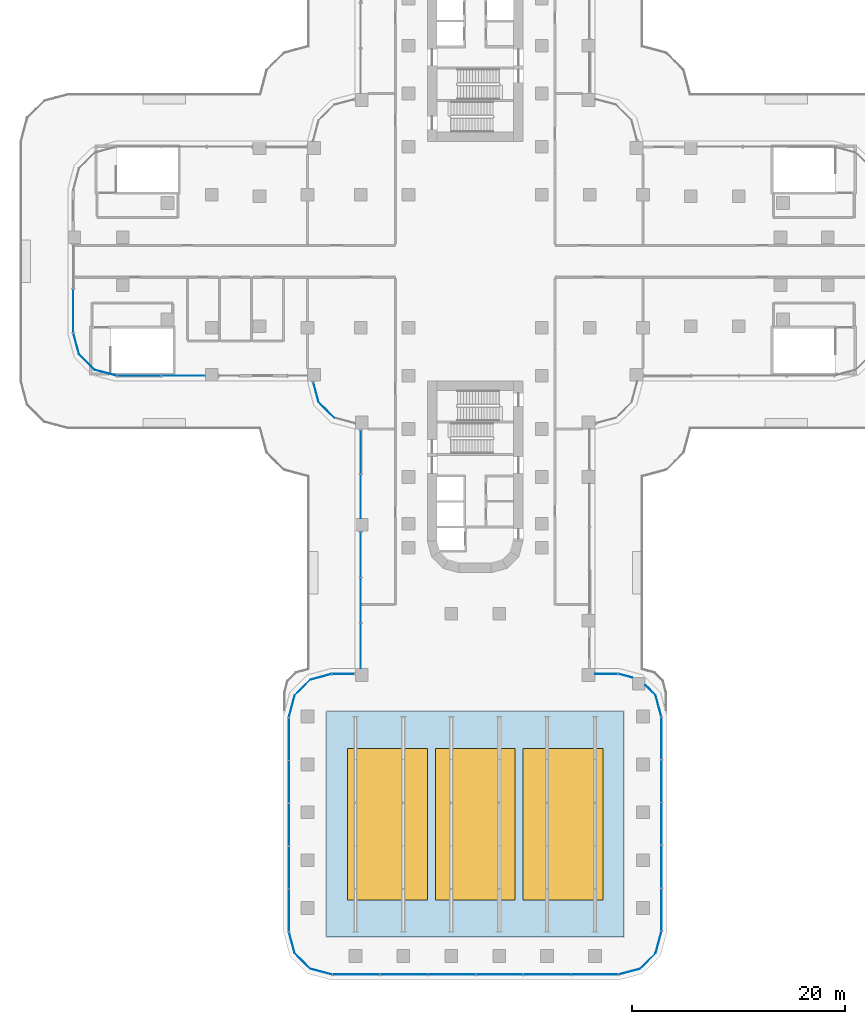
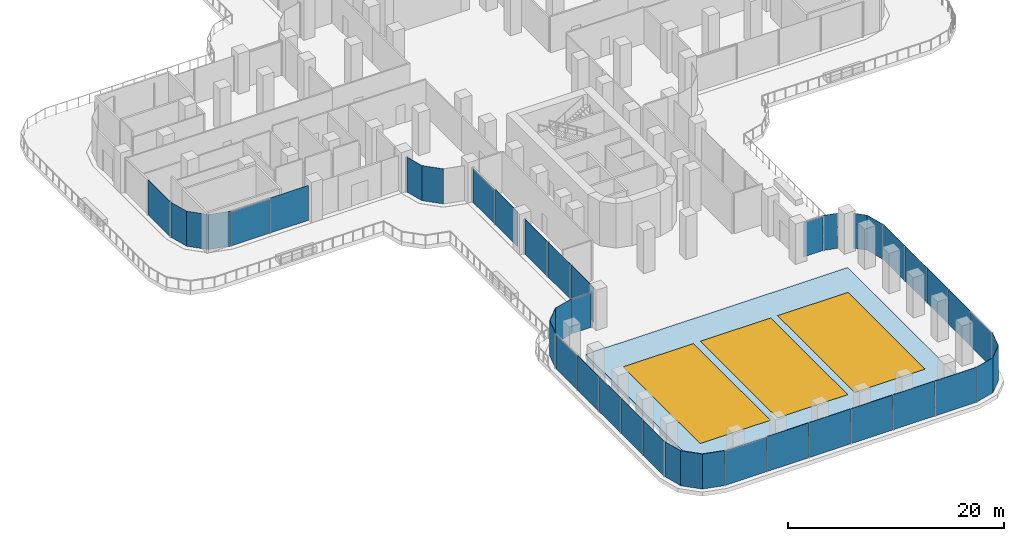
# One storey, part 9 of 21: 43 plates, 3 windows, 1 slab, 3 openings, 25 elements without a shape of their own.
"""IFC4 building model written with IfcOpenShell, lengths in metres."""

from ifc_helpers import new_model, si_unit, direction, frame, origin, origin_2d, place, context, subcontext, project, spatial, polyline, rectangle, outline, extrude, source, transform, mapped, material, layer, layer_set, type_object, element, fill, aggregate, save


model = new_model("IFC4")

# Units and contexts
model_context = context("Model", 3, precision=1e-05, world=origin(), true_north=direction((0.0, 1.0)))
body_context = subcontext(model_context, "Body", "Model", "MODEL_VIEW")
ifc_project = project(units=[si_unit("LENGTHUNIT", "METRE"), si_unit("AREAUNIT", "SQUARE_METRE"), si_unit("VOLUMEUNIT", "CUBIC_METRE"), si_unit("PLANEANGLEUNIT", "RADIAN"), si_unit("MASSUNIT", "GRAM", prefix="KILO")], contexts=[model_context])

# Site, building, storey
site_placement = place(None, origin())
site = spatial("IfcSite", under=ifc_project, at=site_placement, CompositionType="ELEMENT")
building_placement = place(site_placement, origin())
building = spatial("IfcBuilding", under=site, at=building_placement, Name="Zarbagh Exchange Tower", CompositionType="ELEMENT")
storey_placement = place(building_placement, frame((0.0, 0.0, 22.0)))
storey = spatial("IfcBuildingStorey", under=building, at=storey_placement, Name="L04", CompositionType="ELEMENT", Elevation=22.0)

# Slab, openings, windows
ifc_material_1 = material(Name="Concrete C50/60", Category="concrete")
ifc_layer_1 = layer(ifc_material_1, 0.449951171875)
ifc_layer_set_1 = layer_set([ifc_layer_1], Name="Podium terrace roof slab 450 C50/60")
slab_type = type_object("IfcSlabType", Name="Podium terrace roof slab 450 C50/60", PredefinedType="ROOF", material=ifc_layer_set_1)
slab_placement = place(storey_placement, frame((0.0, 0.0, -0.449951171875)))
slab = element("IfcSlab", 1, at=slab_placement, inside=storey, type_object=slab_type, Name="S8 podium terrace roof slab", PredefinedType="ROOF", context=body_context, shape_type="SweptSolid", body=[
    extrude(outline(polyline([(13.97509765625, -63.47509765625), (-13.97509765625, -63.47509765625), (-13.97509765625, -42.27490234375), (13.97509765625, -42.27490234375), (13.97509765625, -63.47509765625)])), origin(), (0.0, 0.0, 1.0), 0.449951171875),
])
opening_1_placement = place(slab_placement, frame((-8.25, -52.875, 0.0)))
opening_1 = element("IfcOpeningElement", 2, at=opening_1_placement, cuts=slab, Name="Opening SK01", PredefinedType="OPENING", context=body_context, shape_type="SweptSolid", body=[
    extrude(rectangle(XDim=7.5, YDim=14.25, at=origin_2d()), frame((0.0, 0.0, -0.010009765625)), (0.0, 0.0, 1.0), 0.469970703125),
])
opening_2_placement = place(slab_placement, frame((0.0, -52.875, 0.0)))
opening_2 = element("IfcOpeningElement", 3, at=opening_2_placement, cuts=slab, Name="Opening SK01", PredefinedType="OPENING", context=body_context, shape_type="SweptSolid", body=[
    extrude(rectangle(XDim=7.5, YDim=14.25, at=origin_2d()), frame((0.0, 0.0, -0.010009765625)), (0.0, 0.0, 1.0), 0.469970703125),
])
opening_3_placement = place(slab_placement, frame((8.25, -52.875, 0.0)))
opening_3 = element("IfcOpeningElement", 4, at=opening_3_placement, cuts=slab, Name="Opening SK01", PredefinedType="OPENING", context=body_context, shape_type="SweptSolid", body=[
    extrude(rectangle(XDim=7.5, YDim=14.25, at=origin_2d()), frame((0.0, 0.0, -0.010009765625)), (0.0, 0.0, 1.0), 0.469970703125),
])
ifc_material_2 = material(Name="Laminated glass and aluminium frame", Category="aluminium")
window_type = type_object("IfcWindowType", Name="SKYLIGHT hall rooflight, laminated glass", PartitioningType="SINGLE_PANEL", PredefinedType="SKYLIGHT", material=ifc_material_2)
window_1_placement = place(opening_1_placement, frame((0.0, 0.0, 0.39990234375)))
window_1 = element("IfcWindow", 5, at=window_1_placement, inside=storey, type_object=window_type, Name="SK01 hall rooflight", OverallHeight=14.25, OverallWidth=7.5, PartitioningType="SINGLE_PANEL", PredefinedType="SKYLIGHT", context=body_context, shape_type="SweptSolid", body=[
    extrude(rectangle(XDim=7.5, YDim=14.25, at=origin_2d()), origin(), (0.0, 0.0, 1.0), 0.050048828125),
])
fill(opening_1, window_1)
window_2_placement = place(opening_2_placement, frame((0.0, 0.0, 0.39990234375)))
window_2 = element("IfcWindow", 6, at=window_2_placement, inside=storey, type_object=window_type, Name="SK01 hall rooflight", OverallHeight=14.25, OverallWidth=7.5, PartitioningType="SINGLE_PANEL", PredefinedType="SKYLIGHT", context=body_context, shape_type="SweptSolid", body=[
    extrude(rectangle(XDim=7.5, YDim=14.25, at=origin_2d()), origin(), (0.0, 0.0, 1.0), 0.050048828125),
])
fill(opening_2, window_2)
window_3_placement = place(opening_3_placement, frame((0.0, 0.0, 0.39990234375)))
window_3 = element("IfcWindow", 7, at=window_3_placement, inside=storey, type_object=window_type, Name="SK01 hall rooflight", OverallHeight=14.25, OverallWidth=7.5, PartitioningType="SINGLE_PANEL", PredefinedType="SKYLIGHT", context=body_context, shape_type="SweptSolid", body=[
    extrude(rectangle(XDim=7.5, YDim=14.25, at=origin_2d()), origin(), (0.0, 0.0, 1.0), 0.050048828125),
])
fill(opening_3, window_3)

# Curtain wall, plate
ifc_material_3 = material(Name="Anodised aluminium frame and glazing", Category="aluminium")
curtain_wall_type_1 = type_object("IfcCurtainWallType", Name="CWD Exchange hall wall glazing", PredefinedType="NOTDEFINED", material=ifc_material_3)
curtain_wall_1_placement = place(storey_placement, origin())
curtain_wall_1 = element("IfcCurtainWall", 8, at=curtain_wall_1_placement, inside=storey, type_object=curtain_wall_type_1, Name="CWD22 curtain wall", PredefinedType="NOTDEFINED")
ifc_material_4 = material(Name="Low-e double glazed unit, 6+12+6 mm")
ifc_layer_2 = layer(ifc_material_4, 0.035888671875)
ifc_layer_set_2 = layer_set([ifc_layer_2], Name="PAD Glazing panel, Low-e double glazed unit, 6+12+6 mm")
plate_type_1 = type_object("IfcPlateType", Name="PAD Glazing panel, Low-e double glazed unit, 6+12+6 mm", PredefinedType="CURTAIN_PANEL", material=ifc_layer_set_2)
shared_shape_1 = source(origin(), body_context, "Body", "SweptSolid", [
    extrude(outline(polyline([(0.0, -0.01806640625), (3.943603515625, -0.01806640625), (3.943603515625, 0.01806640625), (0.0, 0.01806640625), (0.0, -0.01806640625)])), origin(), (0.0, 0.0, 1.0), 3.8701171875),
])
placement = place(storey_placement, origin())
plate_1 = element("IfcPlate", 9, at=placement, type_object=plate_type_1, Name="CWD22 glazing panel 1.1", PredefinedType="CURTAIN_PANEL", context=body_context, shape_type="MappedRepresentation", body=[
    mapped(shared_shape_1, transform((17.5, -62.854248046875, 0.0), x_axis=(0.0, 1.0, 0.0), y_axis=(-1.0, 0.0, 0.0), z_axis=(0.0, 0.0, 1.0))),
])

curtain_wall_2_placement = place(storey_placement, origin())
curtain_wall_2 = element("IfcCurtainWall", 10, at=curtain_wall_2_placement, inside=storey, type_object=curtain_wall_type_1, Name="CWD31 curtain wall", PredefinedType="NOTDEFINED")
plate_2 = element("IfcPlate", 11, at=placement, type_object=plate_type_1, Name="CWD31 glazing panel 1.1", PredefinedType="CURTAIN_PANEL", context=body_context, shape_type="MappedRepresentation", body=[
    mapped(shared_shape_1, transform((-17.5, -42.895751953125, 0.0), x_axis=(0.0, -1.0, 0.0), y_axis=(1.0, 0.0, 0.0), z_axis=(0.0, 0.0, 1.0))),
])

# Plate
shared_shape_2 = source(origin(), body_context, "Body", "SweptSolid", [
    extrude(outline(polyline([(0.0, -0.01806640625), (3.943603515625, -0.01806640625), (3.943603515625, 0.01806640625), (0.0, 0.01806640625), (0.0, -0.01806640625)])), origin(), (0.0, 0.0, 1.0), 3.949951171875),
])
plate_3 = element("IfcPlate", 12, at=placement, type_object=plate_type_1, Name="CWD22 glazing panel 1.2", PredefinedType="CURTAIN_PANEL", context=body_context, shape_type="MappedRepresentation", body=[
    mapped(shared_shape_2, transform((17.5, -58.83056640625, 0.0), x_axis=(0.0, 1.0, 0.0), y_axis=(-1.0, 0.0, 0.0), z_axis=(0.0, 0.0, 1.0))),
])

plate_4 = element("IfcPlate", 13, at=placement, type_object=plate_type_1, Name="CWD22 glazing panel 1.3", PredefinedType="CURTAIN_PANEL", context=body_context, shape_type="MappedRepresentation", body=[
    mapped(shared_shape_2, transform((17.5, -54.806884765625, 0.0), x_axis=(0.0, 1.0, 0.0), y_axis=(-1.0, 0.0, 0.0), z_axis=(0.0, 0.0, 1.0))),
])

plate_5 = element("IfcPlate", 14, at=placement, type_object=plate_type_1, Name="CWD22 glazing panel 1.4", PredefinedType="CURTAIN_PANEL", context=body_context, shape_type="MappedRepresentation", body=[
    mapped(shared_shape_2, transform((17.5, -50.783203125, 0.0), x_axis=(0.0, 1.0, 0.0), y_axis=(-1.0, 0.0, 0.0), z_axis=(0.0, 0.0, 1.0))),
])

plate_6 = element("IfcPlate", 15, at=placement, type_object=plate_type_1, Name="CWD22 glazing panel 1.5", PredefinedType="CURTAIN_PANEL", context=body_context, shape_type="MappedRepresentation", body=[
    mapped(shared_shape_2, transform((17.5, -46.759521484375, 0.0), x_axis=(0.0, 1.0, 0.0), y_axis=(-1.0, 0.0, 0.0), z_axis=(0.0, 0.0, 1.0))),
])

aggregate(curtain_wall_1, [plate_1, plate_3, plate_4, plate_5, plate_6])

plate_7 = element("IfcPlate", 16, at=placement, type_object=plate_type_1, Name="CWD31 glazing panel 1.2", PredefinedType="CURTAIN_PANEL", context=body_context, shape_type="MappedRepresentation", body=[
    mapped(shared_shape_2, transform((-17.5, -46.91943359375, 0.0), x_axis=(0.0, -1.0, 0.0), y_axis=(1.0, 0.0, 0.0), z_axis=(0.0, 0.0, 1.0))),
])

plate_8 = element("IfcPlate", 17, at=placement, type_object=plate_type_1, Name="CWD31 glazing panel 1.3", PredefinedType="CURTAIN_PANEL", context=body_context, shape_type="MappedRepresentation", body=[
    mapped(shared_shape_2, transform((-17.5, -50.943115234375, 0.0), x_axis=(0.0, -1.0, 0.0), y_axis=(1.0, 0.0, 0.0), z_axis=(0.0, 0.0, 1.0))),
])

plate_9 = element("IfcPlate", 18, at=placement, type_object=plate_type_1, Name="CWD31 glazing panel 1.4", PredefinedType="CURTAIN_PANEL", context=body_context, shape_type="MappedRepresentation", body=[
    mapped(shared_shape_2, transform((-17.5, -54.966796875, 0.0), x_axis=(0.0, -1.0, 0.0), y_axis=(1.0, 0.0, 0.0), z_axis=(0.0, 0.0, 1.0))),
])

plate_10 = element("IfcPlate", 19, at=placement, type_object=plate_type_1, Name="CWD31 glazing panel 1.5", PredefinedType="CURTAIN_PANEL", context=body_context, shape_type="MappedRepresentation", body=[
    mapped(shared_shape_2, transform((-17.5, -58.990478515625, 0.0), x_axis=(0.0, -1.0, 0.0), y_axis=(1.0, 0.0, 0.0), z_axis=(0.0, 0.0, 1.0))),
])

aggregate(curtain_wall_2, [plate_2, plate_7, plate_8, plate_9, plate_10])

# Curtain wall, plate
curtain_wall_3_placement = place(storey_placement, origin())
curtain_wall_3 = element("IfcCurtainWall", 20, at=curtain_wall_3_placement, inside=storey, type_object=curtain_wall_type_1, Name="CWD23 curtain wall", PredefinedType="NOTDEFINED")
shared_shape_3 = source(origin(), body_context, "Body", "SweptSolid", [
    extrude(outline(polyline([(0.0, -0.01806640625), (2.049560546875, -0.01806640625), (2.049560546875, 0.01806640625), (0.0, 0.01806640625), (0.0, -0.01806640625)])), origin(), (0.0, 0.0, 1.0), 3.949951171875),
])
plate_11 = element("IfcPlate", 21, at=placement, type_object=plate_type_1, Name="CWD23 glazing panel 1.1", PredefinedType="CURTAIN_PANEL", context=body_context, shape_type="MappedRepresentation", body=[
    mapped(shared_shape_3, transform((17.479248046875, -42.738525390625, 0.0), x_axis=(-0.258824779902, 0.965924289636, 0.0), y_axis=(-0.965924289636, -0.258824779902, 0.0), z_axis=(0.0, 0.0, 1.0))),
])
aggregate(curtain_wall_3, [plate_11])

curtain_wall_4_placement = place(storey_placement, origin())
curtain_wall_4 = element("IfcCurtainWall", 22, at=curtain_wall_4_placement, inside=storey, type_object=curtain_wall_type_1, Name="CWD28 curtain wall", PredefinedType="NOTDEFINED")
plate_12 = element("IfcPlate", 23, at=placement, type_object=plate_type_1, Name="CWD28 glazing panel 1.1", PredefinedType="CURTAIN_PANEL", context=body_context, shape_type="MappedRepresentation", body=[
    mapped(shared_shape_3, transform((-13.511474609375, -38.770751953125, 0.0), x_axis=(-0.965924289636, -0.258824779902, 0.0), y_axis=(0.258824779902, -0.965924289636, 0.0), z_axis=(0.0, 0.0, 1.0))),
])
aggregate(curtain_wall_4, [plate_12])

curtain_wall_5_placement = place(storey_placement, origin())
curtain_wall_5 = element("IfcCurtainWall", 24, at=curtain_wall_5_placement, inside=storey, type_object=curtain_wall_type_1, Name="CWD06 curtain wall", PredefinedType="NOTDEFINED")
plate_13 = element("IfcPlate", 25, at=placement, type_object=plate_type_1, Name="CWD06 glazing panel 1.1", PredefinedType="CURTAIN_PANEL", context=body_context, shape_type="MappedRepresentation", body=[
    mapped(shared_shape_3, transform((-17.479248046875, -63.011474609375, 0.0), x_axis=(0.258824779902, -0.965924289636, 0.0), y_axis=(0.965924289636, 0.258824779902, 0.0), z_axis=(0.0, 0.0, 1.0))),
])
aggregate(curtain_wall_5, [plate_13])

curtain_wall_6_placement = place(storey_placement, origin())
curtain_wall_6 = element("IfcCurtainWall", 26, at=curtain_wall_6_placement, inside=storey, type_object=curtain_wall_type_1, Name="CWD01 curtain wall", PredefinedType="NOTDEFINED")
plate_14 = element("IfcPlate", 27, at=placement, type_object=plate_type_1, Name="CWD01 glazing panel 1.1", PredefinedType="CURTAIN_PANEL", context=body_context, shape_type="MappedRepresentation", body=[
    mapped(shared_shape_3, transform((13.511474609375, -66.979248046875, 0.0), x_axis=(0.965924289636, 0.258824779902, 0.0), y_axis=(-0.258824779902, 0.965924289636, 0.0), z_axis=(0.0, 0.0, 1.0))),
])
aggregate(curtain_wall_6, [plate_14])

curtain_wall_7_placement = place(storey_placement, origin())
curtain_wall_7 = element("IfcCurtainWall", 28, at=curtain_wall_7_placement, inside=storey, type_object=curtain_wall_type_1, Name="CWD24 curtain wall", PredefinedType="NOTDEFINED")
shared_shape_4 = source(origin(), body_context, "Body", "SweptSolid", [
    extrude(outline(polyline([(0.0, -0.01806640625), (1.331787109375, -0.01806640625), (1.331787109375, 0.01806640625), (0.0, 0.01806640625), (0.0, -0.01806640625)])), origin(), (0.0, 0.0, 1.0), 3.949951171875),
])
plate_15 = element("IfcPlate", 29, at=placement, type_object=plate_type_1, Name="CWD24 glazing panel 1.1", PredefinedType="CURTAIN_PANEL", context=body_context, shape_type="MappedRepresentation", body=[
    mapped(shared_shape_4, transform((16.94873046875, -40.7587890625, 0.0), x_axis=(-0.707106781187, 0.707106781187, 0.0), y_axis=(-0.707106781187, -0.707106781187, 0.0), z_axis=(0.0, 0.0, 1.0))),
])
aggregate(curtain_wall_7, [plate_15])

curtain_wall_8_placement = place(storey_placement, origin())
curtain_wall_8 = element("IfcCurtainWall", 30, at=curtain_wall_8_placement, inside=storey, type_object=curtain_wall_type_1, Name="CWD25 curtain wall", PredefinedType="NOTDEFINED")
shared_shape_5 = source(origin(), body_context, "Body", "SweptSolid", [
    extrude(outline(polyline([(0.0, -0.01806640625), (1.33837890625, -0.01806640625), (1.33837890625, 0.01806640625), (0.0, 0.01806640625), (0.0, -0.01806640625)])), origin(), (0.0, 0.0, 1.0), 3.949951171875),
])
plate_16 = element("IfcPlate", 31, at=placement, type_object=plate_type_1, Name="CWD25 glazing panel 1.1", PredefinedType="CURTAIN_PANEL", context=body_context, shape_type="MappedRepresentation", body=[
    mapped(shared_shape_5, transform((14.72705078125, -39.096435546875, 0.0), x_axis=(-0.965924289636, 0.258824779902, 0.0), y_axis=(-0.258824779902, -0.965924289636, 0.0), z_axis=(0.0, 0.0, 1.0))),
])
aggregate(curtain_wall_8, [plate_16])

curtain_wall_9_placement = place(storey_placement, origin())
curtain_wall_9 = element("IfcCurtainWall", 32, at=curtain_wall_9_placement, inside=storey, type_object=curtain_wall_type_1, Name="CWD26 curtain wall", PredefinedType="NOTDEFINED")
shared_shape_6 = source(origin(), body_context, "Body", "SweptSolid", [
    extrude(outline(polyline([(0.0, -0.01806640625), (2.064208984375, -0.01806640625), (2.064208984375, 0.01806640625), (0.0, 0.01806640625), (0.0, -0.01806640625)])), origin(), (0.0, 0.0, 1.0), 3.8701171875),
])
plate_17 = element("IfcPlate", 33, at=placement, type_object=plate_type_1, Name="CWD26 glazing panel 1.1", PredefinedType="CURTAIN_PANEL", context=body_context, shape_type="MappedRepresentation", body=[
    mapped(shared_shape_6, transform((13.354248046875, -38.75, 0.0), x_axis=(-1.0, 0.0, 0.0), y_axis=(0.0, -1.0, 0.0), z_axis=(0.0, 0.0, 1.0))),
])
aggregate(curtain_wall_9, [plate_17])

curtain_wall_10_placement = place(storey_placement, origin())
curtain_wall_10 = element("IfcCurtainWall", 34, at=curtain_wall_10_placement, inside=storey, type_object=curtain_wall_type_1, Name="CWD27 curtain wall", PredefinedType="NOTDEFINED")
plate_18 = element("IfcPlate", 35, at=placement, type_object=plate_type_1, Name="CWD27 glazing panel 1.1", PredefinedType="CURTAIN_PANEL", context=body_context, shape_type="MappedRepresentation", body=[
    mapped(shared_shape_6, transform((-11.3701171875, -38.75, 0.0), x_axis=(-1.0, 0.0, 0.0), y_axis=(0.0, -1.0, 0.0), z_axis=(0.0, 0.0, 1.0))),
])
aggregate(curtain_wall_10, [plate_18])

curtain_wall_type_2 = type_object("IfcCurtainWallType", Name="CWC Podium garden-wall glazing", PredefinedType="NOTDEFINED", material=ifc_material_3)
curtain_wall_11_placement = place(storey_placement, origin())
curtain_wall_11 = element("IfcCurtainWall", 36, at=curtain_wall_11_placement, inside=storey, type_object=curtain_wall_type_2, Name="CWC224 curtain wall", PredefinedType="NOTDEFINED")
ifc_layer_3 = layer(ifc_material_4, 0.031982421875)
ifc_layer_set_3 = layer_set([ifc_layer_3], Name="PAC Glazing panel, Low-e double glazed unit, 6+12+6 mm")
plate_type_2 = type_object("IfcPlateType", Name="PAC Glazing panel, Low-e double glazed unit, 6+12+6 mm", PredefinedType="CURTAIN_PANEL", material=ifc_layer_set_3)
shared_shape_7 = source(origin(), body_context, "Body", "SweptSolid", [
    extrude(outline(polyline([(0.0, -0.01611328125), (1.93994140625, -0.01611328125), (1.93994140625, 0.01611328125), (0.0, 0.01611328125), (0.0, -0.01611328125)])), origin(), (0.0, 0.0, 1.0), 3.949951171875),
])
plate_19 = element("IfcPlate", 37, at=placement, type_object=plate_type_2, Name="CWC224 glazing panel 1.1", PredefinedType="CURTAIN_PANEL", context=body_context, shape_type="MappedRepresentation", body=[
    mapped(shared_shape_7, transform((-15.200927734375, -11.367431640625, 0.0), x_axis=(0.258824779902, -0.965924289636, 0.0), y_axis=(0.965924289636, 0.258824779902, 0.0), z_axis=(0.0, 0.0, 1.0))),
])
aggregate(curtain_wall_11, [plate_19])

curtain_wall_12_placement = place(storey_placement, origin())
curtain_wall_12 = element("IfcCurtainWall", 38, at=curtain_wall_12_placement, inside=storey, type_object=curtain_wall_type_2, Name="CWC221 curtain wall", PredefinedType="NOTDEFINED")
shared_shape_8 = source(origin(), body_context, "Body", "SweptSolid", [
    extrude(outline(polyline([(0.0, -0.01611328125), (2.061279296875, -0.01611328125), (2.061279296875, 0.01611328125), (0.0, 0.01611328125), (0.0, -0.01611328125)])), origin(), (0.0, 0.0, 1.0), 3.949951171875),
])
plate_20 = element("IfcPlate", 39, at=placement, type_object=plate_type_2, Name="CWC221 glazing panel 1.1", PredefinedType="CURTAIN_PANEL", context=body_context, shape_type="MappedRepresentation", body=[
    mapped(shared_shape_8, transform((-37.19873046875, -8.7412109375, 0.0), x_axis=(0.707106781187, -0.707106781187, 0.0), y_axis=(0.707106781187, 0.707106781187, 0.0), z_axis=(0.0, 0.0, 1.0))),
])
aggregate(curtain_wall_12, [plate_20])

curtain_wall_13_placement = place(storey_placement, origin())
curtain_wall_13 = element("IfcCurtainWall", 40, at=curtain_wall_13_placement, inside=storey, type_object=curtain_wall_type_2, Name="CWC225 curtain wall", PredefinedType="NOTDEFINED")
plate_21 = element("IfcPlate", 41, at=placement, type_object=plate_type_2, Name="CWC225 glazing panel 1.1", PredefinedType="CURTAIN_PANEL", context=body_context, shape_type="MappedRepresentation", body=[
    mapped(shared_shape_8, transform((-14.69873046875, -13.2412109375, 0.0), x_axis=(0.707106781187, -0.707106781187, 0.0), y_axis=(0.707106781187, 0.707106781187, 0.0), z_axis=(0.0, 0.0, 1.0))),
])
aggregate(curtain_wall_13, [plate_21])

curtain_wall_14_placement = place(storey_placement, origin())
curtain_wall_14 = element("IfcCurtainWall", 42, at=curtain_wall_14_placement, inside=storey, type_object=curtain_wall_type_2, Name="CWC220 curtain wall", PredefinedType="NOTDEFINED")
shared_shape_9 = source(origin(), body_context, "Body", "SweptSolid", [
    extrude(outline(polyline([(0.0, -0.01611328125), (2.049560546875, -0.01611328125), (2.049560546875, 0.01611328125), (0.0, 0.01611328125), (0.0, -0.01611328125)])), origin(), (0.0, 0.0, 1.0), 3.949951171875),
])
plate_22 = element("IfcPlate", 43, at=placement, type_object=plate_type_2, Name="CWC220 glazing panel 1.1", PredefinedType="CURTAIN_PANEL", context=body_context, shape_type="MappedRepresentation", body=[
    mapped(shared_shape_9, transform((-37.729248046875, -6.761474609375, 0.0), x_axis=(0.258824779902, -0.965924289636, 0.0), y_axis=(0.965924289636, 0.258824779902, 0.0), z_axis=(0.0, 0.0, 1.0))),
])
aggregate(curtain_wall_14, [plate_22])

curtain_wall_15_placement = place(storey_placement, origin())
curtain_wall_15 = element("IfcCurtainWall", 44, at=curtain_wall_15_placement, inside=storey, type_object=curtain_wall_type_2, Name="CWC222 curtain wall", PredefinedType="NOTDEFINED")
shared_shape_10 = source(origin(), body_context, "Body", "SweptSolid", [
    extrude(outline(polyline([(0.0, -0.01611328125), (2.129638671875, -0.01611328125), (2.129638671875, 0.01611328125), (0.0, 0.01611328125), (0.0, -0.01611328125)])), origin(), (0.0, 0.0, 1.0), 3.949951171875),
])
plate_23 = element("IfcPlate", 45, at=placement, type_object=plate_type_2, Name="CWC222 glazing panel 1.1", PredefinedType="CURTAIN_PANEL", context=body_context, shape_type="MappedRepresentation", body=[
    mapped(shared_shape_10, transform((-35.7412109375, -10.19873046875, 0.0), x_axis=(0.965924289636, -0.258824779902, 0.0), y_axis=(0.258824779902, 0.965924289636, 0.0), z_axis=(0.0, 0.0, 1.0))),
])
aggregate(curtain_wall_15, [plate_23])

curtain_wall_16_placement = place(storey_placement, origin())
curtain_wall_16 = element("IfcCurtainWall", 46, at=curtain_wall_16_placement, inside=storey, type_object=curtain_wall_type_2, Name="CWC223 curtain wall", PredefinedType="NOTDEFINED")
shared_shape_11 = source(origin(), body_context, "Body", "SweptSolid", [
    extrude(outline(polyline([(0.0, -0.01611328125), (4.067138671875, -0.01611328125), (4.067138671875, 0.01611328125), (0.0, 0.01611328125), (0.0, -0.01611328125)])), origin(), (0.0, 0.0, 1.0), 3.8701171875),
])
plate_24 = element("IfcPlate", 47, at=placement, type_object=plate_type_2, Name="CWC223 glazing panel 1.1", PredefinedType="CURTAIN_PANEL", context=body_context, shape_type="MappedRepresentation", body=[
    mapped(shared_shape_11, transform((-33.604248046875, -10.75, 0.0), x_axis=(1.0, 0.0, 0.0), y_axis=(0.0, 1.0, 0.0), z_axis=(0.0, 0.0, 1.0))),
])

curtain_wall_17_placement = place(storey_placement, origin())
curtain_wall_17 = element("IfcCurtainWall", 48, at=curtain_wall_17_placement, inside=storey, type_object=curtain_wall_type_2, Name="CWC219 curtain wall", PredefinedType="NOTDEFINED")
shared_shape_12 = source(origin(), body_context, "Body", "SweptSolid", [
    extrude(outline(polyline([(0.0, -0.01611328125), (4.067138671875, -0.01611328125), (4.067138671875, 0.01611328125), (0.0, 0.01611328125), (0.0, -0.01611328125)])), origin(), (0.0, 0.0, 1.0), 3.949951171875),
])
plate_25 = element("IfcPlate", 49, at=placement, type_object=plate_type_2, Name="CWC219 glazing panel 1.2", PredefinedType="CURTAIN_PANEL", context=body_context, shape_type="MappedRepresentation", body=[
    mapped(shared_shape_12, transform((-37.75, -2.6171875, 0.0), x_axis=(0.0, -1.0, 0.0), y_axis=(1.0, 0.0, 0.0), z_axis=(0.0, 0.0, 1.0))),
])
aggregate(curtain_wall_17, [plate_25])

# Plate
plate_26 = element("IfcPlate", 50, at=placement, type_object=plate_type_2, Name="CWC223 glazing panel 1.2", PredefinedType="CURTAIN_PANEL", context=body_context, shape_type="MappedRepresentation", body=[
    mapped(shared_shape_12, transform((-29.45703125, -10.75, 0.0), x_axis=(1.0, 0.0, 0.0), y_axis=(0.0, 1.0, 0.0), z_axis=(0.0, 0.0, 1.0))),
])

aggregate(curtain_wall_16, [plate_24, plate_26])

# Curtain wall, plates
curtain_wall_18_placement = place(storey_placement, origin())
curtain_wall_18 = element("IfcCurtainWall", 51, at=curtain_wall_18_placement, inside=storey, type_object=curtain_wall_type_2, Name="CWC227 curtain wall", PredefinedType="NOTDEFINED")
shared_shape_13 = source(origin(), body_context, "Body", "SweptSolid", [
    extrude(outline(polyline([(0.0, -0.01611328125), (4.193359375, -0.01611328125), (4.193359375, 0.01611328125), (0.0, 0.01611328125), (0.0, -0.01611328125)])), origin(), (0.0, 0.0, 1.0), 3.949951171875),
])
plate_27 = element("IfcPlate", 52, at=placement, type_object=plate_type_2, Name="CWC227 glazing panel 2.1", PredefinedType="CURTAIN_PANEL", context=body_context, shape_type="MappedRepresentation", body=[
    mapped(shared_shape_13, transform((-10.75, -25.469970703125, 0.0), x_axis=(0.0, -1.0, 0.0), y_axis=(1.0, 0.0, 0.0), z_axis=(0.0, 0.0, 1.0))),
])
plate_28 = element("IfcPlate", 53, at=placement, type_object=plate_type_2, Name="CWC227 glazing panel 2.2", PredefinedType="CURTAIN_PANEL", context=body_context, shape_type="MappedRepresentation", body=[
    mapped(shared_shape_13, transform((-10.75, -29.743408203125, 0.0), x_axis=(0.0, -1.0, 0.0), y_axis=(1.0, 0.0, 0.0), z_axis=(0.0, 0.0, 1.0))),
])
plate_29 = element("IfcPlate", 54, at=placement, type_object=plate_type_2, Name="CWC227 glazing panel 2.3", PredefinedType="CURTAIN_PANEL", context=body_context, shape_type="MappedRepresentation", body=[
    mapped(shared_shape_13, transform((-10.75, -34.0166015625, 0.0), x_axis=(0.0, -1.0, 0.0), y_axis=(1.0, 0.0, 0.0), z_axis=(0.0, 0.0, 1.0))),
])
shared_shape_14 = source(origin(), body_context, "Body", "SweptSolid", [
    extrude(outline(polyline([(0.0, -0.01611328125), (4.080078125, -0.01611328125), (4.080078125, 0.01611328125), (0.0, 0.01611328125), (0.0, -0.01611328125)])), origin(), (0.0, 0.0, 1.0), 3.8701171875),
])
plate_30 = element("IfcPlate", 55, at=placement, type_object=plate_type_2, Name="CWC227 glazing panel 1.1", PredefinedType="CURTAIN_PANEL", context=body_context, shape_type="MappedRepresentation", body=[
    mapped(shared_shape_14, transform((-10.75, -15.8701171875, 0.0), x_axis=(0.0, -1.0, 0.0), y_axis=(1.0, 0.0, 0.0), z_axis=(0.0, 0.0, 1.0))),
])
shared_shape_15 = source(origin(), body_context, "Body", "SweptSolid", [
    extrude(outline(polyline([(0.0, -0.01611328125), (4.080078125, -0.01611328125), (4.080078125, 0.01611328125), (0.0, 0.01611328125), (0.0, -0.01611328125)])), origin(), (0.0, 0.0, 1.0), 3.949951171875),
])
plate_31 = element("IfcPlate", 56, at=placement, type_object=plate_type_2, Name="CWC227 glazing panel 1.2", PredefinedType="CURTAIN_PANEL", context=body_context, shape_type="MappedRepresentation", body=[
    mapped(shared_shape_15, transform((-10.75, -20.030029296875, 0.0), x_axis=(0.0, -1.0, 0.0), y_axis=(1.0, 0.0, 0.0), z_axis=(0.0, 0.0, 1.0))),
])
aggregate(curtain_wall_18, [plate_30, plate_31, plate_27, plate_28, plate_29])

# Curtain wall, plate
curtain_wall_19_placement = place(storey_placement, origin())
curtain_wall_19 = element("IfcCurtainWall", 57, at=curtain_wall_19_placement, inside=storey, type_object=curtain_wall_type_1, Name="CWD29 curtain wall", PredefinedType="NOTDEFINED")
shared_shape_16 = source(origin(), body_context, "Body", "SweptSolid", [
    extrude(outline(polyline([(0.0, -0.01806640625), (2.061279296875, -0.01806640625), (2.061279296875, 0.01806640625), (0.0, 0.01806640625), (0.0, -0.01806640625)])), origin(), (0.0, 0.0, 1.0), 3.949951171875),
])
plate_32 = element("IfcPlate", 58, at=placement, type_object=plate_type_1, Name="CWD29 glazing panel 1.1", PredefinedType="CURTAIN_PANEL", context=body_context, shape_type="MappedRepresentation", body=[
    mapped(shared_shape_16, transform((-15.4912109375, -39.30126953125, 0.0), x_axis=(-0.707106781187, -0.707106781187, 0.0), y_axis=(0.707106781187, -0.707106781187, 0.0), z_axis=(0.0, 0.0, 1.0))),
])
aggregate(curtain_wall_19, [plate_32])

curtain_wall_20_placement = place(storey_placement, origin())
curtain_wall_20 = element("IfcCurtainWall", 59, at=curtain_wall_20_placement, inside=storey, type_object=curtain_wall_type_1, Name="CWD07 curtain wall", PredefinedType="NOTDEFINED")
plate_33 = element("IfcPlate", 60, at=placement, type_object=plate_type_1, Name="CWD07 glazing panel 1.1", PredefinedType="CURTAIN_PANEL", context=body_context, shape_type="MappedRepresentation", body=[
    mapped(shared_shape_16, transform((-16.94873046875, -64.9912109375, 0.0), x_axis=(0.707106781187, -0.707106781187, 0.0), y_axis=(0.707106781187, 0.707106781187, 0.0), z_axis=(0.0, 0.0, 1.0))),
])
aggregate(curtain_wall_20, [plate_33])

curtain_wall_21_placement = place(storey_placement, origin())
curtain_wall_21 = element("IfcCurtainWall", 61, at=curtain_wall_21_placement, inside=storey, type_object=curtain_wall_type_1, Name="CWD02 curtain wall", PredefinedType="NOTDEFINED")
plate_34 = element("IfcPlate", 62, at=placement, type_object=plate_type_1, Name="CWD02 glazing panel 1.1", PredefinedType="CURTAIN_PANEL", context=body_context, shape_type="MappedRepresentation", body=[
    mapped(shared_shape_16, transform((15.4912109375, -66.44873046875, 0.0), x_axis=(0.707106781187, 0.707106781187, 0.0), y_axis=(-0.707106781187, 0.707106781187, 0.0), z_axis=(0.0, 0.0, 1.0))),
])
aggregate(curtain_wall_21, [plate_34])

curtain_wall_22_placement = place(storey_placement, origin())
curtain_wall_22 = element("IfcCurtainWall", 63, at=curtain_wall_22_placement, inside=storey, type_object=curtain_wall_type_1, Name="CWD30 curtain wall", PredefinedType="NOTDEFINED")
shared_shape_17 = source(origin(), body_context, "Body", "SweptSolid", [
    extrude(outline(polyline([(0.0, -0.01806640625), (2.129638671875, -0.01806640625), (2.129638671875, 0.01806640625), (0.0, 0.01806640625), (0.0, -0.01806640625)])), origin(), (0.0, 0.0, 1.0), 3.949951171875),
])
plate_35 = element("IfcPlate", 64, at=placement, type_object=plate_type_1, Name="CWD30 glazing panel 1.1", PredefinedType="CURTAIN_PANEL", context=body_context, shape_type="MappedRepresentation", body=[
    mapped(shared_shape_17, transform((-16.94873046875, -40.7587890625, 0.0), x_axis=(-0.258824779902, -0.965924289636, 0.0), y_axis=(0.965924289636, -0.258824779902, 0.0), z_axis=(0.0, 0.0, 1.0))),
])
aggregate(curtain_wall_22, [plate_35])

curtain_wall_23_placement = place(storey_placement, origin())
curtain_wall_23 = element("IfcCurtainWall", 65, at=curtain_wall_23_placement, inside=storey, type_object=curtain_wall_type_1, Name="CWD08 curtain wall", PredefinedType="NOTDEFINED")
plate_36 = element("IfcPlate", 66, at=placement, type_object=plate_type_1, Name="CWD08 glazing panel 1.1", PredefinedType="CURTAIN_PANEL", context=body_context, shape_type="MappedRepresentation", body=[
    mapped(shared_shape_17, transform((-15.4912109375, -66.44873046875, 0.0), x_axis=(0.965924289636, -0.258824779902, 0.0), y_axis=(0.258824779902, 0.965924289636, 0.0), z_axis=(0.0, 0.0, 1.0))),
])
aggregate(curtain_wall_23, [plate_36])

curtain_wall_24_placement = place(storey_placement, origin())
curtain_wall_24 = element("IfcCurtainWall", 67, at=curtain_wall_24_placement, inside=storey, type_object=curtain_wall_type_1, Name="CWD03 curtain wall", PredefinedType="NOTDEFINED")
plate_37 = element("IfcPlate", 68, at=placement, type_object=plate_type_1, Name="CWD03 glazing panel 1.1", PredefinedType="CURTAIN_PANEL", context=body_context, shape_type="MappedRepresentation", body=[
    mapped(shared_shape_17, transform((16.94873046875, -64.9912109375, 0.0), x_axis=(0.258824779902, 0.965924289636, 0.0), y_axis=(-0.965924289636, 0.258824779902, 0.0), z_axis=(0.0, 0.0, 1.0))),
])
aggregate(curtain_wall_24, [plate_37])

# Curtain wall, plates
curtain_wall_25_placement = place(storey_placement, origin())
curtain_wall_25 = element("IfcCurtainWall", 69, at=curtain_wall_25_placement, inside=storey, type_object=curtain_wall_type_1, Name="CWD09 curtain wall", PredefinedType="NOTDEFINED")
shared_shape_18 = source(origin(), body_context, "Body", "SweptSolid", [
    extrude(outline(polyline([(0.0, -0.01806640625), (4.39794921875, -0.01806640625), (4.39794921875, 0.01806640625), (0.0, 0.01806640625), (0.0, -0.01806640625)])), origin(), (0.0, 0.0, 1.0), 3.8701171875),
])
plate_38 = element("IfcPlate", 70, at=placement, type_object=plate_type_1, Name="CWD09 glazing panel 1.1", PredefinedType="CURTAIN_PANEL", context=body_context, shape_type="MappedRepresentation", body=[
    mapped(shared_shape_18, transform((-13.354248046875, -67.0, 0.0), x_axis=(1.0, 0.0, 0.0), y_axis=(0.0, 1.0, 0.0), z_axis=(0.0, 0.0, 1.0))),
])
shared_shape_19 = source(origin(), body_context, "Body", "SweptSolid", [
    extrude(outline(polyline([(0.0, -0.01806640625), (4.39794921875, -0.01806640625), (4.39794921875, 0.01806640625), (0.0, 0.01806640625), (0.0, -0.01806640625)])), origin(), (0.0, 0.0, 1.0), 3.949951171875),
])
plate_39 = element("IfcPlate", 71, at=placement, type_object=plate_type_1, Name="CWD09 glazing panel 1.2", PredefinedType="CURTAIN_PANEL", context=body_context, shape_type="MappedRepresentation", body=[
    mapped(shared_shape_19, transform((-8.876220703125, -67.0, 0.0), x_axis=(1.0, 0.0, 0.0), y_axis=(0.0, 1.0, 0.0), z_axis=(0.0, 0.0, 1.0))),
])
plate_40 = element("IfcPlate", 72, at=placement, type_object=plate_type_1, Name="CWD09 glazing panel 1.3", PredefinedType="CURTAIN_PANEL", context=body_context, shape_type="MappedRepresentation", body=[
    mapped(shared_shape_19, transform((-4.398193359375, -67.0, 0.0), x_axis=(1.0, 0.0, 0.0), y_axis=(0.0, 1.0, 0.0), z_axis=(0.0, 0.0, 1.0))),
])
plate_41 = element("IfcPlate", 73, at=placement, type_object=plate_type_1, Name="CWD09 glazing panel 1.4", PredefinedType="CURTAIN_PANEL", context=body_context, shape_type="MappedRepresentation", body=[
    mapped(shared_shape_19, transform((0.080078125, -67.0, 0.0), x_axis=(1.0, 0.0, 0.0), y_axis=(0.0, 1.0, 0.0), z_axis=(0.0, 0.0, 1.0))),
])
plate_42 = element("IfcPlate", 74, at=placement, type_object=plate_type_1, Name="CWD09 glazing panel 1.5", PredefinedType="CURTAIN_PANEL", context=body_context, shape_type="MappedRepresentation", body=[
    mapped(shared_shape_19, transform((4.55810546875, -67.0, 0.0), x_axis=(1.0, 0.0, 0.0), y_axis=(0.0, 1.0, 0.0), z_axis=(0.0, 0.0, 1.0))),
])
plate_43 = element("IfcPlate", 75, at=placement, type_object=plate_type_1, Name="CWD09 glazing panel 1.6", PredefinedType="CURTAIN_PANEL", context=body_context, shape_type="MappedRepresentation", body=[
    mapped(shared_shape_19, transform((9.0361328125, -67.0, 0.0), x_axis=(1.0, 0.0, 0.0), y_axis=(0.0, 1.0, 0.0), z_axis=(0.0, 0.0, 1.0))),
])
aggregate(curtain_wall_25, [plate_38, plate_39, plate_40, plate_41, plate_42, plate_43])

save(model, "model.ifc")
